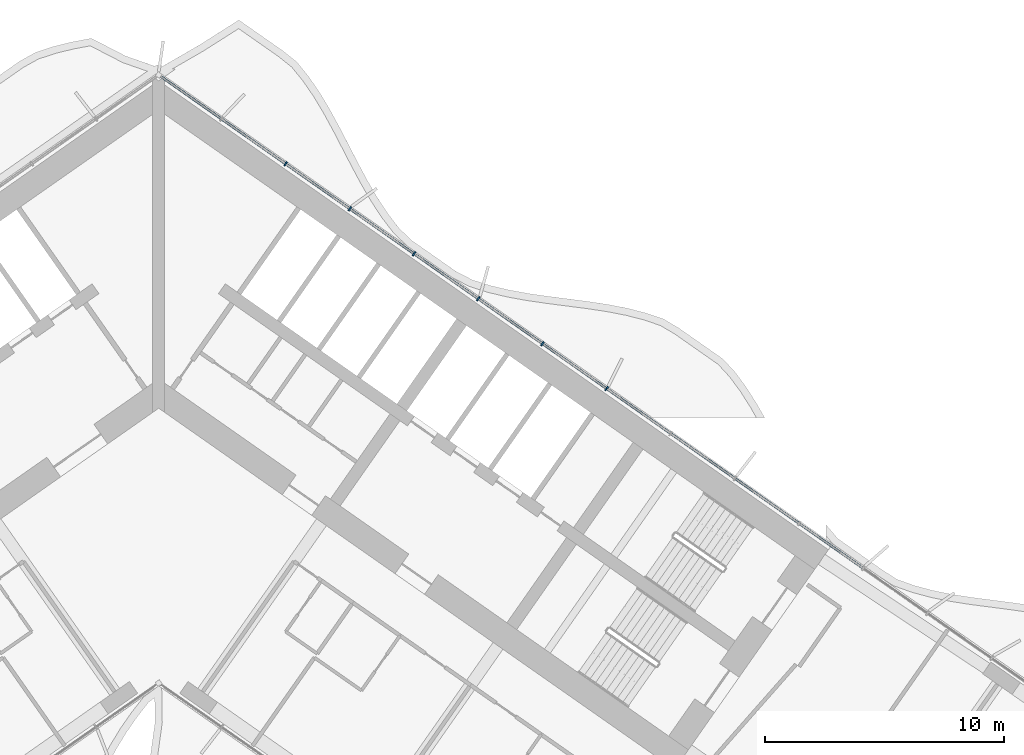
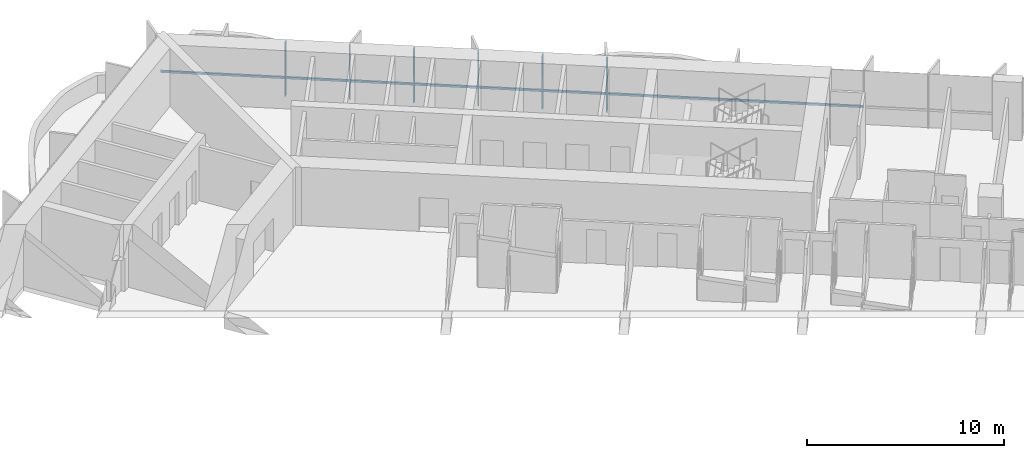
# One storey, part 8 of 25: 7 members, 1 element without a shape of its own.
"""IFC4 building model written with IfcOpenShell, lengths in metres."""

from ifc_helpers import new_model, si_unit, direction, frame, origin, origin_2d, place, context, subcontext, project, spatial, rectangle, extrude, material, material_profile, profile_set, type_object, element, aggregate, save


model = new_model("IFC4")

# Units and contexts
model_context = context("Model", 3, precision=1e-05, world=origin(), true_north=direction((0.0, 1.0)))
body_context = subcontext(model_context, "Body", "Model", "MODEL_VIEW")
ifc_project = project(units=[si_unit("LENGTHUNIT", "METRE"), si_unit("AREAUNIT", "SQUARE_METRE"), si_unit("VOLUMEUNIT", "CUBIC_METRE"), si_unit("PLANEANGLEUNIT", "RADIAN"), si_unit("MASSUNIT", "GRAM", prefix="KILO")], contexts=[model_context])

# Site, building, storey
site_placement = place(None, origin())
site = spatial("IfcSite", under=ifc_project, at=site_placement, CompositionType="ELEMENT")
building_placement = place(site_placement, origin())
building = spatial("IfcBuilding", under=site, at=building_placement, Name="Tel Ilan Convention Tower", CompositionType="ELEMENT")
storey_placement = place(building_placement, frame((0.0, 0.0, 61.699951171875)))
storey = spatial("IfcBuildingStorey", under=building, at=storey_placement, Name="L10", CompositionType="ELEMENT", Elevation=61.699951171875)

# Curtain wall, members
ifc_material_1 = material(Name="Aluminium, bronze anodised", Category="aluminium")
curtain_wall_type = type_object("IfcCurtainWallType", Name="CW2 STICK CURTAIN WALL, SPANDREL PANELS", PredefinedType="NOTDEFINED", material=ifc_material_1)
curtain_wall_placement = place(storey_placement, origin())
curtain_wall = element("IfcCurtainWall", 1, at=curtain_wall_placement, inside=storey, type_object=curtain_wall_type, Name="Curtain wall CW2-11.01", PredefinedType="NOTDEFINED")
ifc_material_2 = material(Name="Aluminium, bronze anodised", Category="aluminium")
ifc_material_profile_1 = material_profile(ifc_material_2, rectangle(XDim=0.06005859375, YDim=0.199951171875, at=origin_2d()), Name="CW MULLION 60x200")
ifc_profile_set_1 = profile_set([ifc_material_profile_1], Name="Aluminium, bronze anodised")
member_type_1 = type_object("IfcMemberType", Name="CW MULLION 60x200", PredefinedType="MULLION", material=ifc_profile_set_1)
member_1_placement = place(storey_placement, frame((18.70458984375, -0.401123046875, 0.0), z_axis=(0.0, 0.0, 1.0), x_axis=(-0.819152044289, 0.573576436351, 0.0)))
member_1 = element("IfcMember", 2, at=member_1_placement, type_object=member_type_1, Name="Mullion", PredefinedType="MULLION", context=body_context, shape_type="SweptSolid", body=[
    extrude(rectangle(XDim=0.06005859375, YDim=0.199951171875, at=origin_2d()), origin(), (0.0, 0.0, 1.0), 3.320068359375),
])
member_2_placement = place(storey_placement, frame((16.024169921875, 1.475830078125, 0.0), z_axis=(0.0, 0.0, 1.0), x_axis=(-0.819152044289, 0.573576436351, 0.0)))
member_2 = element("IfcMember", 3, at=member_2_placement, type_object=member_type_1, Name="Mullion", PredefinedType="MULLION", context=body_context, shape_type="SweptSolid", body=[
    extrude(rectangle(XDim=0.06005859375, YDim=0.199951171875, at=origin_2d()), origin(), (0.0, 0.0, 1.0), 3.320068359375),
])
member_3_placement = place(storey_placement, frame((13.343994140625, 3.3525390625, 0.0), z_axis=(0.0, 0.0, 1.0), x_axis=(-0.819152044289, 0.573576436351, 0.0)))
member_3 = element("IfcMember", 4, at=member_3_placement, type_object=member_type_1, Name="Mullion", PredefinedType="MULLION", context=body_context, shape_type="SweptSolid", body=[
    extrude(rectangle(XDim=0.06005859375, YDim=0.199951171875, at=origin_2d()), origin(), (0.0, 0.0, 1.0), 3.320068359375),
])
member_4_placement = place(storey_placement, frame((10.663818359375, 5.229248046875, 0.0), z_axis=(0.0, 0.0, 1.0), x_axis=(-0.819152044289, 0.573576436351, 0.0)))
member_4 = element("IfcMember", 5, at=member_4_placement, type_object=member_type_1, Name="Mullion", PredefinedType="MULLION", context=body_context, shape_type="SweptSolid", body=[
    extrude(rectangle(XDim=0.06005859375, YDim=0.199951171875, at=origin_2d()), origin(), (0.0, 0.0, 1.0), 3.320068359375),
])
member_5_placement = place(storey_placement, frame((7.9833984375, 7.10595703125, 0.0), z_axis=(0.0, 0.0, 1.0), x_axis=(-0.819152044289, 0.573576436351, 0.0)))
member_5 = element("IfcMember", 6, at=member_5_placement, type_object=member_type_1, Name="Mullion", PredefinedType="MULLION", context=body_context, shape_type="SweptSolid", body=[
    extrude(rectangle(XDim=0.06005859375, YDim=0.199951171875, at=origin_2d()), origin(), (0.0, 0.0, 1.0), 3.320068359375),
])
member_6_placement = place(storey_placement, frame((5.30322265625, 8.982666015625, 0.0), z_axis=(0.0, 0.0, 1.0), x_axis=(-0.819152044289, 0.573576436351, 0.0)))
member_6 = element("IfcMember", 7, at=member_6_placement, type_object=member_type_1, Name="Mullion", PredefinedType="MULLION", context=body_context, shape_type="SweptSolid", body=[
    extrude(rectangle(XDim=0.06005859375, YDim=0.199951171875, at=origin_2d()), origin(), (0.0, 0.0, 1.0), 3.320068359375),
])
ifc_material_3 = material(Name="Aluminium, bronze anodised", Category="aluminium")
ifc_material_profile_2 = material_profile(ifc_material_3, rectangle(XDim=0.10009765625, YDim=0.1201171875, at=origin_2d()), Name="CW TRANSOM 100x120")
ifc_profile_set_2 = profile_set([ifc_material_profile_2], Name="Aluminium, bronze anodised")
member_type_2 = type_object("IfcMemberType", Name="CW TRANSOM 100x120", PredefinedType="USERDEFINED", material=ifc_profile_set_2)
member_7_placement = place(storey_placement, frame((29.401123046875, -7.890869140625, 1.10009765625), z_axis=(-0.81915076999, 0.573578256234, 0.0), x_axis=(-0.573578256234, -0.81915076999, 0.0)))
member_7 = element("IfcMember", 8, at=member_7_placement, type_object=member_type_2, Name="Transom", ObjectType="TRANSOM", PredefinedType="USERDEFINED", context=body_context, shape_type="SweptSolid", body=[
    extrude(rectangle(XDim=0.10009765625, YDim=0.1201171875, at=origin_2d()), origin(), (0.0, 0.0, 1.0), 35.76220703125),
])
aggregate(curtain_wall, [member_1, member_2, member_3, member_4, member_5, member_6, member_7])

save(model, "model.ifc")
